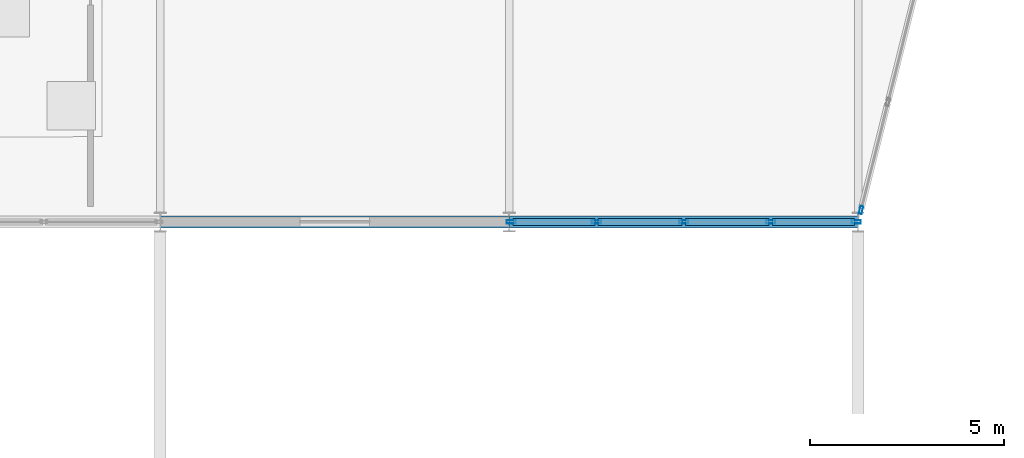
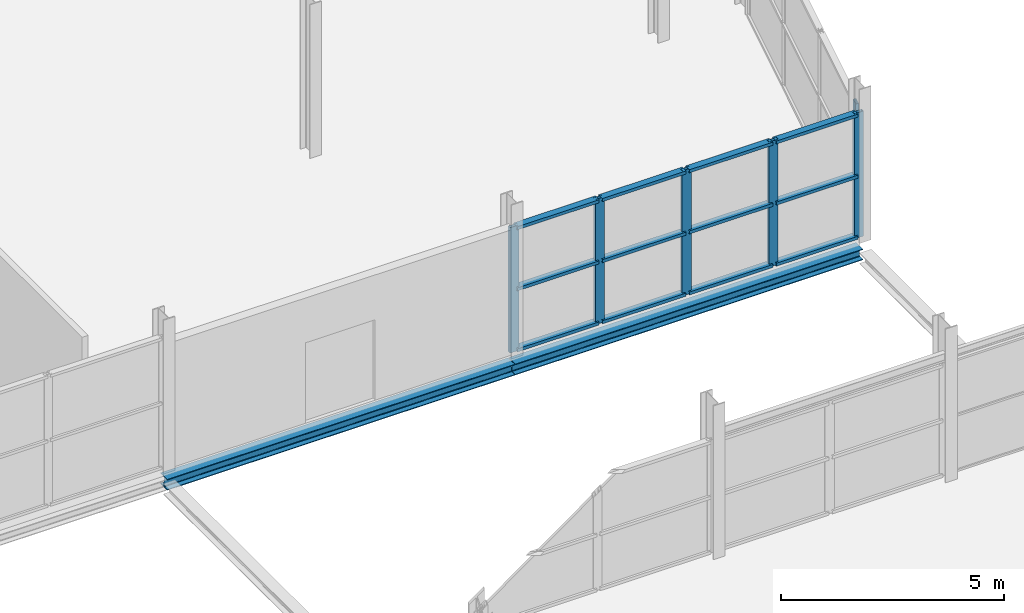
# One storey, part 49 of 140: 18 members, 2 beams, 2 elements without a shape of their own.
"""IFC4 building model written with IfcOpenShell, lengths in metres."""

from ifc_helpers import new_model, si_unit, direction, frame, origin, origin_2d, place, context, subcontext, project, spatial, hollow_rectangle, i_section, extrude, material, layer, layer_set, material_profile, profile_set, type_object, element, aggregate, save


model = new_model("IFC4")

# Units and contexts
model_context = context("Model", 3, precision=1e-05, world=origin(), true_north=direction((0.0, 1.0)))
body_context = subcontext(model_context, "Body", "Model", "MODEL_VIEW")
ifc_project = project(units=[si_unit("LENGTHUNIT", "METRE"), si_unit("AREAUNIT", "SQUARE_METRE"), si_unit("VOLUMEUNIT", "CUBIC_METRE"), si_unit("PLANEANGLEUNIT", "RADIAN"), si_unit("MASSUNIT", "GRAM", prefix="KILO")], contexts=[model_context])

# Site, building, storey
site_placement = place(None, origin())
site = spatial("IfcSite", under=ifc_project, at=site_placement, CompositionType="ELEMENT")
building_placement = place(site_placement, origin())
building = spatial("IfcBuilding", under=site, at=building_placement, Name="Deido Ridge Mobility Hub", CompositionType="ELEMENT")
storey_placement = place(building_placement, origin())
storey = spatial("IfcBuildingStorey", under=building, at=storey_placement, Name="L00", CompositionType="ELEMENT", Elevation=0.0)

# Curtain wall, member
ifc_material_1 = material(Name="Anodised aluminium EN AW-6063 T6", Category="aluminium")
ifc_layer_1 = layer(ifc_material_1, 0.22509765625, Name="Anodised aluminium EN AW-6063 T6")
ifc_layer_set_1 = layer_set([ifc_layer_1], Name="Anodised aluminium EN AW-6063 T6")
curtain_wall_type_1 = type_object("IfcCurtainWallType", Name="CW-UF-5", PredefinedType="USERDEFINED", material=ifc_layer_set_1)
curtain_wall_1_placement = place(storey_placement, origin())
curtain_wall_1 = element("IfcCurtainWall", 1, at=curtain_wall_1_placement, inside=storey, type_object=curtain_wall_type_1, Name="Unitised curtain wall CW5", ObjectType="UNITISED FACADE", PredefinedType="USERDEFINED")
ifc_material_profile_1 = material_profile(ifc_material_1, hollow_rectangle(XDim=0.074951171875, YDim=0.205078125, WallThickness=0.00390625, at=origin_2d()), Name="RHS 75x205x4")
ifc_profile_set_1 = profile_set([ifc_material_profile_1], Name="Anodised aluminium EN AW-6063 T6")
member_type_1 = type_object("IfcMemberType", Name="MEM-MUL-75X205", PredefinedType="MULLION", material=ifc_profile_set_1)
member_1_placement = place(storey_placement, frame((45.07666015625, 45.306884765625, 0.0), z_axis=(0.0, 0.0, 1.0), x_axis=(-0.970139801497, 0.242546419373, 0.0)))
member_1 = element("IfcMember", 2, at=member_1_placement, type_object=member_type_1, Name="CW5 mullion 1", PredefinedType="MULLION", context=body_context, shape_type="SweptSolid", body=[
    extrude(hollow_rectangle(XDim=0.074951171875, YDim=0.205078125, WallThickness=0.00390625, at=origin_2d()), origin(), (0.0, 0.0, 1.0), 3.47509765625),
])
aggregate(curtain_wall_1, [member_1])

# Curtain wall, members
ifc_layer_2 = layer(ifc_material_1, 0.132080078125, Name="Anodised aluminium EN AW-6063 T6")
ifc_layer_set_2 = layer_set([ifc_layer_2], Name="Anodised aluminium EN AW-6063 T6")
curtain_wall_type_2 = type_object("IfcCurtainWallType", Name="CW-GS-1", PredefinedType="USERDEFINED", material=ifc_layer_set_2)
curtain_wall_2_placement = place(storey_placement, origin())
curtain_wall_2 = element("IfcCurtainWall", 3, at=curtain_wall_2_placement, inside=storey, type_object=curtain_wall_type_2, Name="Unitised curtain wall GS1", ObjectType="GLAZED SCREEN", PredefinedType="USERDEFINED")
ifc_material_profile_2 = material_profile(ifc_material_1, hollow_rectangle(XDim=0.0849609375, YDim=0.235107421875, WallThickness=0.00390625, at=origin_2d()), Name="RHS 85x235x4")
ifc_profile_set_2 = profile_set([ifc_material_profile_2], Name="Anodised aluminium EN AW-6063 T6")
member_type_2 = type_object("IfcMemberType", Name="MEM-MUL-85X235", PredefinedType="MULLION", material=ifc_profile_set_2)
member_2_placement = place(storey_placement, frame((36.0498046875, 45.0, 0.0), z_axis=(0.0, 0.0, 1.0), x_axis=(0.0, 1.0, 0.0)))
member_2 = element("IfcMember", 4, at=member_2_placement, type_object=member_type_2, Name="GS1 mullion 1", PredefinedType="MULLION", context=body_context, shape_type="SweptSolid", body=[
    extrude(hollow_rectangle(XDim=0.0849609375, YDim=0.235107421875, WallThickness=0.00390625, at=origin_2d()), origin(), (0.0, 0.0, 1.0), 3.425048828125),
])
member_3_placement = place(storey_placement, frame((38.253662109375, 45.0, 0.0), z_axis=(0.0, 0.0, 1.0), x_axis=(0.0, 1.0, 0.0)))
member_3 = element("IfcMember", 5, at=member_3_placement, type_object=member_type_2, Name="GS1 mullion 2", PredefinedType="MULLION", context=body_context, shape_type="SweptSolid", body=[
    extrude(hollow_rectangle(XDim=0.0849609375, YDim=0.235107421875, WallThickness=0.00390625, at=origin_2d()), origin(), (0.0, 0.0, 1.0), 3.425048828125),
])
member_4_placement = place(storey_placement, frame((40.5, 45.0, 0.0), z_axis=(0.0, 0.0, 1.0), x_axis=(0.0, 1.0, 0.0)))
member_4 = element("IfcMember", 6, at=member_4_placement, type_object=member_type_2, Name="GS1 mullion 3", PredefinedType="MULLION", context=body_context, shape_type="SweptSolid", body=[
    extrude(hollow_rectangle(XDim=0.0849609375, YDim=0.235107421875, WallThickness=0.00390625, at=origin_2d()), origin(), (0.0, 0.0, 1.0), 3.425048828125),
])
member_5_placement = place(storey_placement, frame((42.746337890625, 45.0, 0.0), z_axis=(0.0, 0.0, 1.0), x_axis=(0.0, 1.0, 0.0)))
member_5 = element("IfcMember", 7, at=member_5_placement, type_object=member_type_2, Name="GS1 mullion 4", PredefinedType="MULLION", context=body_context, shape_type="SweptSolid", body=[
    extrude(hollow_rectangle(XDim=0.0849609375, YDim=0.235107421875, WallThickness=0.00390625, at=origin_2d()), origin(), (0.0, 0.0, 1.0), 3.425048828125),
])
member_6_placement = place(storey_placement, frame((44.9501953125, 45.0, 0.0), z_axis=(0.0, 0.0, 1.0), x_axis=(0.0, 1.0, 0.0)))
member_6 = element("IfcMember", 8, at=member_6_placement, type_object=member_type_2, Name="GS1 mullion 5", PredefinedType="MULLION", context=body_context, shape_type="SweptSolid", body=[
    extrude(hollow_rectangle(XDim=0.0849609375, YDim=0.235107421875, WallThickness=0.00390625, at=origin_2d()), origin(), (0.0, 0.0, 1.0), 3.425048828125),
])
ifc_material_profile_3 = material_profile(ifc_material_1, hollow_rectangle(XDim=0.175048828125, YDim=0.0849609375, WallThickness=0.00390625, at=origin_2d()), Name="RHS 175x85x4")
ifc_profile_set_3 = profile_set([ifc_material_profile_3], Name="Anodised aluminium EN AW-6063 T6")
member_type_3 = type_object("IfcMemberType", Name="MEM-TRN-175X85", PredefinedType="USERDEFINED", material=ifc_profile_set_3)
member_7_placement = place(storey_placement, frame((36.09228515625, 45.0, 0.04248046875), z_axis=(1.0, 0.0, 0.0), x_axis=(0.0, 1.0, 0.0)))
member_7 = element("IfcMember", 9, at=member_7_placement, type_object=member_type_3, Name="GS1 transom 1.1", ObjectType="TRANSOM", PredefinedType="USERDEFINED", context=body_context, shape_type="SweptSolid", body=[
    extrude(hollow_rectangle(XDim=0.175048828125, YDim=0.0849609375, WallThickness=0.00390625, at=origin_2d()), origin(), (0.0, 0.0, 1.0), 2.118896484375),
])
member_8_placement = place(storey_placement, frame((36.09228515625, 45.0, 1.71240234375), z_axis=(1.0, 0.0, 0.0), x_axis=(0.0, 1.0, 0.0)))
member_8 = element("IfcMember", 10, at=member_8_placement, type_object=member_type_3, Name="GS1 transom 1.2", ObjectType="TRANSOM", PredefinedType="USERDEFINED", context=body_context, shape_type="SweptSolid", body=[
    extrude(hollow_rectangle(XDim=0.175048828125, YDim=0.0849609375, WallThickness=0.00390625, at=origin_2d()), origin(), (0.0, 0.0, 1.0), 2.118896484375),
])
member_9_placement = place(storey_placement, frame((36.09228515625, 45.0, 3.382568359375), z_axis=(1.0, 0.0, 0.0), x_axis=(0.0, 1.0, 0.0)))
member_9 = element("IfcMember", 11, at=member_9_placement, type_object=member_type_3, Name="GS1 transom 1.3", ObjectType="TRANSOM", PredefinedType="USERDEFINED", context=body_context, shape_type="SweptSolid", body=[
    extrude(hollow_rectangle(XDim=0.175048828125, YDim=0.0849609375, WallThickness=0.00390625, at=origin_2d()), origin(), (0.0, 0.0, 1.0), 2.118896484375),
])
member_10_placement = place(storey_placement, frame((38.296142578125, 45.0, 0.04248046875), z_axis=(1.0, 0.0, 0.0), x_axis=(0.0, 1.0, 0.0)))
member_10 = element("IfcMember", 12, at=member_10_placement, type_object=member_type_3, Name="GS1 transom 2.1", ObjectType="TRANSOM", PredefinedType="USERDEFINED", context=body_context, shape_type="SweptSolid", body=[
    extrude(hollow_rectangle(XDim=0.175048828125, YDim=0.0849609375, WallThickness=0.00390625, at=origin_2d()), origin(), (0.0, 0.0, 1.0), 2.161376953125),
])
member_11_placement = place(storey_placement, frame((38.296142578125, 45.0, 1.71240234375), z_axis=(1.0, 0.0, 0.0), x_axis=(0.0, 1.0, 0.0)))
member_11 = element("IfcMember", 13, at=member_11_placement, type_object=member_type_3, Name="GS1 transom 2.2", ObjectType="TRANSOM", PredefinedType="USERDEFINED", context=body_context, shape_type="SweptSolid", body=[
    extrude(hollow_rectangle(XDim=0.175048828125, YDim=0.0849609375, WallThickness=0.00390625, at=origin_2d()), origin(), (0.0, 0.0, 1.0), 2.161376953125),
])
member_12_placement = place(storey_placement, frame((38.296142578125, 45.0, 3.382568359375), z_axis=(1.0, 0.0, 0.0), x_axis=(0.0, 1.0, 0.0)))
member_12 = element("IfcMember", 14, at=member_12_placement, type_object=member_type_3, Name="GS1 transom 2.3", ObjectType="TRANSOM", PredefinedType="USERDEFINED", context=body_context, shape_type="SweptSolid", body=[
    extrude(hollow_rectangle(XDim=0.175048828125, YDim=0.0849609375, WallThickness=0.00390625, at=origin_2d()), origin(), (0.0, 0.0, 1.0), 2.161376953125),
])
member_13_placement = place(storey_placement, frame((40.54248046875, 45.0, 0.04248046875), z_axis=(1.0, 0.0, 0.0), x_axis=(0.0, 1.0, 0.0)))
member_13 = element("IfcMember", 15, at=member_13_placement, type_object=member_type_3, Name="GS1 transom 3.1", ObjectType="TRANSOM", PredefinedType="USERDEFINED", context=body_context, shape_type="SweptSolid", body=[
    extrude(hollow_rectangle(XDim=0.175048828125, YDim=0.0849609375, WallThickness=0.00390625, at=origin_2d()), origin(), (0.0, 0.0, 1.0), 2.161376953125),
])
member_14_placement = place(storey_placement, frame((40.54248046875, 45.0, 1.71240234375), z_axis=(1.0, 0.0, 0.0), x_axis=(0.0, 1.0, 0.0)))
member_14 = element("IfcMember", 16, at=member_14_placement, type_object=member_type_3, Name="GS1 transom 3.2", ObjectType="TRANSOM", PredefinedType="USERDEFINED", context=body_context, shape_type="SweptSolid", body=[
    extrude(hollow_rectangle(XDim=0.175048828125, YDim=0.0849609375, WallThickness=0.00390625, at=origin_2d()), origin(), (0.0, 0.0, 1.0), 2.161376953125),
])
member_15_placement = place(storey_placement, frame((40.54248046875, 45.0, 3.382568359375), z_axis=(1.0, 0.0, 0.0), x_axis=(0.0, 1.0, 0.0)))
member_15 = element("IfcMember", 17, at=member_15_placement, type_object=member_type_3, Name="GS1 transom 3.3", ObjectType="TRANSOM", PredefinedType="USERDEFINED", context=body_context, shape_type="SweptSolid", body=[
    extrude(hollow_rectangle(XDim=0.175048828125, YDim=0.0849609375, WallThickness=0.00390625, at=origin_2d()), origin(), (0.0, 0.0, 1.0), 2.161376953125),
])
member_16_placement = place(storey_placement, frame((42.788818359375, 45.0, 0.04248046875), z_axis=(1.0, 0.0, 0.0), x_axis=(0.0, 1.0, 0.0)))
member_16 = element("IfcMember", 18, at=member_16_placement, type_object=member_type_3, Name="GS1 transom 4.1", ObjectType="TRANSOM", PredefinedType="USERDEFINED", context=body_context, shape_type="SweptSolid", body=[
    extrude(hollow_rectangle(XDim=0.175048828125, YDim=0.0849609375, WallThickness=0.00390625, at=origin_2d()), origin(), (0.0, 0.0, 1.0), 2.118896484375),
])
member_17_placement = place(storey_placement, frame((42.788818359375, 45.0, 1.71240234375), z_axis=(1.0, 0.0, 0.0), x_axis=(0.0, 1.0, 0.0)))
member_17 = element("IfcMember", 19, at=member_17_placement, type_object=member_type_3, Name="GS1 transom 4.2", ObjectType="TRANSOM", PredefinedType="USERDEFINED", context=body_context, shape_type="SweptSolid", body=[
    extrude(hollow_rectangle(XDim=0.175048828125, YDim=0.0849609375, WallThickness=0.00390625, at=origin_2d()), origin(), (0.0, 0.0, 1.0), 2.118896484375),
])
member_18_placement = place(storey_placement, frame((42.788818359375, 45.0, 3.382568359375), z_axis=(1.0, 0.0, 0.0), x_axis=(0.0, 1.0, 0.0)))
member_18 = element("IfcMember", 20, at=member_18_placement, type_object=member_type_3, Name="GS1 transom 4.3", ObjectType="TRANSOM", PredefinedType="USERDEFINED", context=body_context, shape_type="SweptSolid", body=[
    extrude(hollow_rectangle(XDim=0.175048828125, YDim=0.0849609375, WallThickness=0.00390625, at=origin_2d()), origin(), (0.0, 0.0, 1.0), 2.118896484375),
])
aggregate(curtain_wall_2, [member_2, member_3, member_4, member_5, member_6, member_7, member_8, member_9, member_10, member_11, member_12, member_13, member_14, member_15, member_16, member_17, member_18])

# Beams
ifc_material_2 = material(Name="Steel S355J2 EN 10025-2", Category="steel")
ifc_material_profile_4 = material_profile(ifc_material_2, i_section(OverallWidth=0.300048828125, OverallDepth=0.300048828125, WebThickness=0.010986328125, FlangeThickness=0.01904296875, FilletRadius=0.027099609375, at=origin_2d()), Name="HEB 300")
ifc_profile_set_4 = profile_set([ifc_material_profile_4], Name="Steel S355J2 EN 10025-2")
beam_type = type_object("IfcBeamType", Name="SPD-HEB300", PredefinedType="SPANDREL", material=ifc_profile_set_4)
for number, where, z_axis, x_axis, name in (
    (21, (27.007080078125, 45.0, -0.409912109375), (1.0, 0.0, 0.0), (0.0, 1.0, 0.0), "Floor beam SP1"),
    (22, (36.007080078125, 45.0, -0.409912109375), (1.0, 0.0, 0.0), (0.0, 1.0, 0.0), "Floor beam SP1"),
):
    element("IfcBeam", number, at=place(storey_placement, frame(where, z_axis=z_axis, x_axis=x_axis)), inside=storey, type_object=beam_type, Name=name, PredefinedType="SPANDREL", context=body_context, shape_type="SweptSolid", body=[
        extrude(i_section(OverallWidth=0.300048828125, OverallDepth=0.300048828125, WebThickness=0.010986328125, FlangeThickness=0.01904296875, FilletRadius=0.027099609375, at=origin_2d()), origin(), (0.0, 0.0, 1.0), 8.98583984375),
    ])

save(model, "model.ifc")
